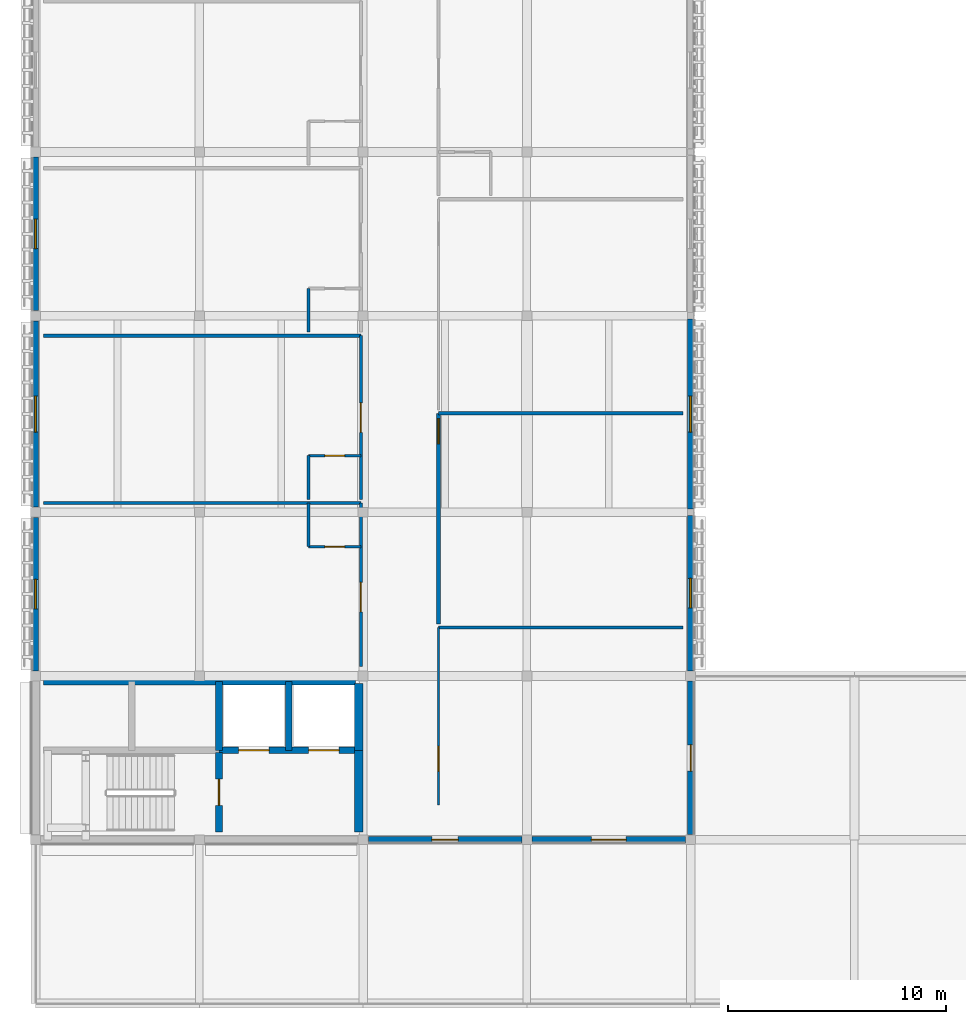
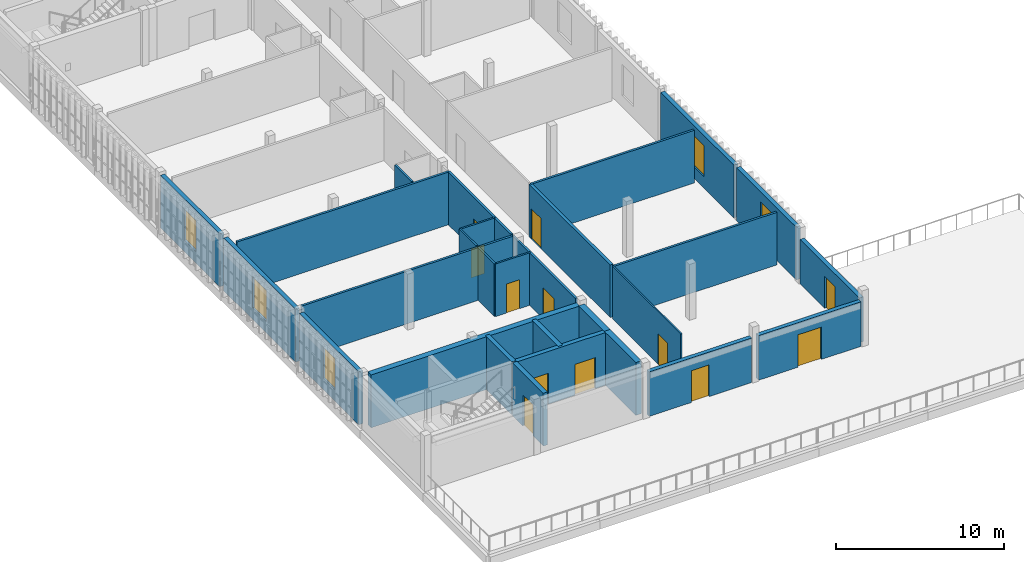
# One storey, part 3 of 13: 28 walls, 12 doors, 5 windows, 17 openings.
"""IFC4 building model written with IfcOpenShell, lengths in metres."""

from ifc_helpers import new_model, si_unit, direction, frame, frame_2d, origin, place, context, subcontext, project, spatial, rectangle, extrude, material, layer, layer_set, type_object, element, fill, save


model = new_model("IFC4")

# Units and contexts
model_context = context("Model", 3, precision=1e-05, world=origin(), true_north=direction((0.0, 1.0)))
body_context = subcontext(model_context, "Body", "Model", "MODEL_VIEW")
ifc_project = project(units=[si_unit("LENGTHUNIT", "METRE"), si_unit("AREAUNIT", "SQUARE_METRE"), si_unit("VOLUMEUNIT", "CUBIC_METRE"), si_unit("PLANEANGLEUNIT", "RADIAN"), si_unit("MASSUNIT", "GRAM", prefix="KILO")], contexts=[model_context])

# Site, building, storey
site_placement = place(None, origin())
site = spatial("IfcSite", under=ifc_project, at=site_placement, CompositionType="ELEMENT")
building_placement = place(site_placement, origin())
building = spatial("IfcBuilding", under=site, at=building_placement, Name="Dalvernix Boulevard General Hospital", CompositionType="ELEMENT")
storey_placement = place(building_placement, frame((0.0, 0.0, 30.0)))
storey = spatial("IfcBuildingStorey", under=building, at=storey_placement, Name="L07", CompositionType="ELEMENT", Elevation=30.0)

# Walls
ifc_material_1 = material(Name="Concrete C40/50", Category="concrete")
ifc_layer_1 = layer(ifc_material_1, 0.39990234375)
ifc_layer_set_1 = layer_set([ifc_layer_1], Name="Concrete C40/50 (WAL-CSW-01)")
wall_type_1 = type_object("IfcWallType", Name="WAL-CSW-01", PredefinedType="SHEAR", material=ifc_layer_set_1)
wall_1_placement = place(storey_placement, frame((0.35009765625, 14.800048828125, 0.0), z_axis=(0.0, 0.0, 1.0), x_axis=(1.0, 0.0, 0.0)))
element("IfcWall", 1, at=wall_1_placement, inside=storey, type_object=wall_type_1, Name="L07 C1 north shaft core wall", PredefinedType="SHEAR", context=body_context, shape_type="SweptSolid", body=[
    extrude(rectangle(XDim=14.2998046875, YDim=0.39990234375, at=frame_2d((7.14990234375, 0.0))), origin(), (0.0, 0.0, 1.0), 3.830078125),
])
wall_2_placement = place(storey_placement, frame((14.800048828125, 7.85009765625, 0.0), z_axis=(0.0, 0.0, 1.0), x_axis=(0.0, 1.0, 0.0)))
element("IfcWall", 2, at=wall_2_placement, inside=storey, type_object=wall_type_1, Name="L07 C1 east lobby core wall", PredefinedType="SHEAR", context=body_context, shape_type="SweptSolid", body=[
    extrude(rectangle(XDim=3.75, YDim=0.39990234375, at=frame_2d((1.875, 0.0))), origin(), (0.0, 0.0, 1.0), 3.830078125),
])
wall_3_placement = place(storey_placement, frame((14.800048828125, 11.60009765625, 0.0), z_axis=(0.0, 0.0, 1.0), x_axis=(0.0, 1.0, 0.0)))
element("IfcWall", 3, at=wall_3_placement, inside=storey, type_object=wall_type_1, Name="L07 C1 east shaft core wall", PredefinedType="SHEAR", context=body_context, shape_type="SweptSolid", body=[
    extrude(rectangle(XDim=3.0498046875, YDim=0.39990234375, at=frame_2d((1.52490234375, 0.0))), origin(), (0.0, 0.0, 1.0), 3.830078125),
])

# Wall, openings, doors
ifc_layer_2 = layer(ifc_material_1, 0.300048828125)
ifc_layer_set_2 = layer_set([ifc_layer_2], Name="Concrete C40/50 (WAL-CSW-02)")
wall_type_2 = type_object("IfcWallType", Name="WAL-CSW-02", PredefinedType="SHEAR", material=ifc_layer_set_2)
wall_4_placement = place(storey_placement, frame((8.39990234375, 11.60009765625, 0.0), z_axis=(0.0, 0.0, 1.0), x_axis=(1.0, 0.0, 0.0)))
wall_4 = element("IfcWall", 4, at=wall_4_placement, inside=storey, type_object=wall_type_2, Name="L07 C1 lift shaft front wall", PredefinedType="SHEAR", context=body_context, shape_type="SweptSolid", body=[
    extrude(rectangle(XDim=6.25, YDim=0.300048828125, at=frame_2d((3.125, 0.0))), origin(), (0.0, 0.0, 1.0), 3.830078125),
])
opening_1_placement = place(wall_4_placement, frame((0.89990234375, 0.0, 0.0)))
opening_1 = element("IfcOpeningElement", 5, at=opening_1_placement, cuts=wall_4, Name="Opening LD-FFL-01-L07", PredefinedType="OPENING", context=body_context, shape_type="SweptSolid", body=[
    extrude(rectangle(XDim=1.39990234375, YDim=2.25, at=frame_2d((0.699951171875, 1.125))), frame((0.0, 0.159912109375, 0.0), z_axis=(0.0, -1.0, 0.0), x_axis=(1.0, 0.0, 0.0)), (0.0, 0.0, 1.0), 0.320068359375),
])
opening_2_placement = place(wall_4_placement, frame((4.10009765625, 0.0, 0.0)))
opening_2 = element("IfcOpeningElement", 6, at=opening_2_placement, cuts=wall_4, Name="Opening LD-FFL-02-L07", PredefinedType="OPENING", context=body_context, shape_type="SweptSolid", body=[
    extrude(rectangle(XDim=1.39990234375, YDim=2.25, at=frame_2d((0.699951171875, 1.125))), frame((0.0, 0.159912109375, 0.0), z_axis=(0.0, -1.0, 0.0), x_axis=(1.0, 0.0, 0.0)), (0.0, 0.0, 1.0), 0.320068359375),
])
ifc_material_2 = material(Name="Stainless-clad steel", Category="steel")
door_type_1 = type_object("IfcDoorType", Name="DR-LD-01", OperationType="DOUBLE_DOOR_SLIDING", PredefinedType="DOOR", material=ifc_material_2)
door_1_placement = place(opening_1_placement, origin())
door_1 = element("IfcDoor", 7, at=door_1_placement, inside=storey, type_object=door_type_1, Name="L07 Lift FFL-01 sliding landing door", OperationType="DOUBLE_DOOR_SLIDING", OverallHeight=2.25, OverallWidth=1.39990234375, PredefinedType="DOOR", context=body_context, shape_type="SweptSolid", body=[
    extrude(rectangle(XDim=1.39990234375, YDim=2.25, at=frame_2d((0.699951171875, 1.125))), frame((0.0, 0.02490234375, 0.0), z_axis=(0.0, -1.0, 0.0), x_axis=(1.0, 0.0, 0.0)), (0.0, 0.0, 1.0), 0.050048828125),
])
fill(opening_1, door_1)
door_2_placement = place(opening_2_placement, origin())
door_2 = element("IfcDoor", 8, at=door_2_placement, inside=storey, type_object=door_type_1, Name="L07 Lift FFL-02 sliding landing door", OperationType="DOUBLE_DOOR_SLIDING", OverallHeight=2.25, OverallWidth=1.39990234375, PredefinedType="DOOR", context=body_context, shape_type="SweptSolid", body=[
    extrude(rectangle(XDim=1.39990234375, YDim=2.25, at=frame_2d((0.699951171875, 1.125))), frame((0.0, 0.02490234375, 0.0), z_axis=(0.0, -1.0, 0.0), x_axis=(1.0, 0.0, 0.0)), (0.0, 0.0, 1.0), 0.050048828125),
])
fill(opening_2, door_2)

# Wall, opening, door
wall_5_placement = place(storey_placement, frame((8.39990234375, 11.5, 0.0), z_axis=(0.0, 0.0, 1.0), x_axis=(0.0, -1.0, 0.0)))
wall_5 = element("IfcWall", 9, at=wall_5_placement, inside=storey, type_object=wall_type_2, Name="L07 C1 stairwell fire wall", PredefinedType="SHEAR", context=body_context, shape_type="SweptSolid", body=[
    extrude(rectangle(XDim=3.64990234375, YDim=0.300048828125, at=frame_2d((1.824951171875, 0.0))), origin(), (0.0, 0.0, 1.0), 3.830078125),
])
opening_3_placement = place(wall_5_placement, frame((1.219970703125, 0.0, 0.0)))
opening_3 = element("IfcOpeningElement", 10, at=opening_3_placement, cuts=wall_5, Name="Opening FD-02", PredefinedType="OPENING", context=body_context, shape_type="SweptSolid", body=[
    extrude(rectangle(XDim=1.199951171875, YDim=2.25, at=frame_2d((0.60009765625, 1.125))), frame((0.0, 0.159912109375, 0.0), z_axis=(0.0, -1.0, 0.0), x_axis=(1.0, 0.0, 0.0)), (0.0, 0.0, 1.0), 0.320068359375),
])
ifc_material_3 = material(Name="Hospital laminate acoustic timber and steel frame", Category="steel")
door_type_2 = type_object("IfcDoorType", Name="DR-FD-02", OperationType="NOTDEFINED", PredefinedType="DOOR", material=ifc_material_3)
door_3_placement = place(opening_3_placement, origin())
door_3 = element("IfcDoor", 11, at=door_3_placement, inside=storey, type_object=door_type_2, Name="L07 Stair ST-01 fire door", OperationType="SINGLE_SWING_LEFT", OverallHeight=2.25, OverallWidth=1.199951171875, PredefinedType="DOOR", context=body_context, shape_type="SweptSolid", body=[
    extrude(rectangle(XDim=1.199951171875, YDim=2.25, at=frame_2d((0.60009765625, 1.125))), frame((0.0, 0.02490234375, 0.0), z_axis=(0.0, -1.0, 0.0), x_axis=(1.0, 0.0, 0.0)), (0.0, 0.0, 1.0), 0.050048828125),
])
fill(opening_3, door_3)

# Walls
for number, where, z_axis, x_axis, name in (
    (12, (8.39990234375, 11.60009765625, 0.0), (0.0, 0.0, 1.0), (0.0, 1.0, 0.0), "L07 C1 shaft divider R2"),
    (13, (11.60009765625, 11.60009765625, 0.0), (0.0, 0.0, 1.0), (0.0, 1.0, 0.0), "L07 C1 shaft divider L1"),
):
    element("IfcWall", number, at=place(storey_placement, frame(where, z_axis=z_axis, x_axis=x_axis)), inside=storey, type_object=wall_type_2, Name=name, PredefinedType="SHEAR", context=body_context, shape_type="SweptSolid", body=[
        extrude(rectangle(XDim=3.14990234375, YDim=0.300048828125, at=frame_2d((1.574951171875, 0.0))), origin(), (0.0, 0.0, 1.0), 3.830078125),
    ])

# Wall, opening, window
ifc_material_4 = material(Name="Screened upper-ward insulated masonry cavity wall C35/45", Category="masonry")
ifc_layer_3 = layer(ifc_material_4, 0.280029296875)
ifc_layer_set_3 = layer_set([ifc_layer_3], Name="Screened upper-ward insulated masonry cavity wall C35/45 (WAL-EW-03)")
wall_type_3 = type_object("IfcWallType", Name="WAL-EW-03", PredefinedType="STANDARD", material=ifc_layer_set_3)
wall_6_placement = place(storey_placement, frame((0.0, 15.235107421875, 0.0), z_axis=(0.0, 0.0, 1.0), x_axis=(0.0, 1.0, 0.0)))
wall_6 = element("IfcWall", 14, at=wall_6_placement, inside=storey, type_object=wall_type_3, Name="L07 Catalan brick external wall W 0-2", PredefinedType="STANDARD", context=body_context, shape_type="SweptSolid", body=[
    extrude(rectangle(XDim=7.02978515625, YDim=0.280029296875, at=frame_2d((3.514892578125, 0.0))), origin(), (0.0, 0.0, 1.0), 3.830078125),
])
opening_4_placement = place(wall_6_placement, frame((2.840087890625, 0.0, 0.85009765625)))
opening_4 = element("IfcOpeningElement", 15, at=opening_4_placement, cuts=wall_6, Name="Opening WN-19", PredefinedType="OPENING", context=body_context, shape_type="SweptSolid", body=[
    extrude(rectangle(XDim=1.35009765625, YDim=2.25, at=frame_2d((0.675048828125, 1.125))), frame((0.0, 0.14990234375, 0.0), z_axis=(0.0, -1.0, 0.0), x_axis=(1.0, 0.0, 0.0)), (0.0, 0.0, 1.0), 0.300048828125),
])
ifc_material_5 = material(Name="Thermally broken aluminium frame with solar-control double glazing", Category="aluminium")
window_type_1 = type_object("IfcWindowType", Name="WIN-WN-19", PartitioningType="SINGLE_PANEL", PredefinedType="WINDOW", material=ifc_material_5)
window_1_placement = place(opening_4_placement, origin())
window_1 = element("IfcWindow", 16, at=window_1_placement, inside=storey, type_object=window_type_1, Name="L07 clinical window WN-19 W 0-2", OverallHeight=2.25, OverallWidth=1.35009765625, PartitioningType="SINGLE_PANEL", PredefinedType="WINDOW", context=body_context, shape_type="SweptSolid", body=[
    extrude(rectangle(XDim=1.35009765625, YDim=2.25, at=frame_2d((0.675048828125, 1.125))), frame((0.0, 0.030029296875, 0.0), z_axis=(0.0, -1.0, 0.0), x_axis=(1.0, 0.0, 0.0)), (0.0, 0.0, 1.0), 0.06005859375),
])
fill(opening_4, window_1)

wall_7_placement = place(storey_placement, frame((0.0, 22.735107421875, 0.0), z_axis=(0.0, 0.0, 1.0), x_axis=(0.0, 1.0, 0.0)))
wall_7 = element("IfcWall", 17, at=wall_7_placement, inside=storey, type_object=wall_type_3, Name="L07 Catalan brick external wall W 0-3", PredefinedType="STANDARD", context=body_context, shape_type="SweptSolid", body=[
    extrude(rectangle(XDim=8.52978515625, YDim=0.280029296875, at=frame_2d((4.264892578125, 0.0))), origin(), (0.0, 0.0, 1.0), 3.830078125),
])
opening_5_placement = place(wall_7_placement, frame((3.43994140625, 0.0, 0.85009765625)))
opening_5 = element("IfcOpeningElement", 18, at=opening_5_placement, cuts=wall_7, Name="Opening WN-20", PredefinedType="OPENING", context=body_context, shape_type="SweptSolid", body=[
    extrude(rectangle(XDim=1.64990234375, YDim=2.25, at=frame_2d((0.824951171875, 1.125))), frame((0.0, 0.14990234375, 0.0), z_axis=(0.0, -1.0, 0.0), x_axis=(1.0, 0.0, 0.0)), (0.0, 0.0, 1.0), 0.300048828125),
])
window_type_2 = type_object("IfcWindowType", Name="WIN-WN-20", PartitioningType="SINGLE_PANEL", PredefinedType="WINDOW", material=ifc_material_5)
window_2_placement = place(opening_5_placement, origin())
window_2 = element("IfcWindow", 19, at=window_2_placement, inside=storey, type_object=window_type_2, Name="L07 clinical window WN-20 W 0-3", OverallHeight=2.25, OverallWidth=1.64990234375, PartitioningType="SINGLE_PANEL", PredefinedType="WINDOW", context=body_context, shape_type="SweptSolid", body=[
    extrude(rectangle(XDim=1.64990234375, YDim=2.25, at=frame_2d((0.824951171875, 1.125))), frame((0.0, 0.030029296875, 0.0), z_axis=(0.0, -1.0, 0.0), x_axis=(1.0, 0.0, 0.0)), (0.0, 0.0, 1.0), 0.06005859375),
])
fill(opening_5, window_2)

wall_8_placement = place(storey_placement, frame((0.0, 31.735107421875, 0.0), z_axis=(0.0, 0.0, 1.0), x_axis=(0.0, 1.0, 0.0)))
wall_8 = element("IfcWall", 20, at=wall_8_placement, inside=storey, type_object=wall_type_3, Name="L07 Catalan brick external wall W 0-4", PredefinedType="STANDARD", context=body_context, shape_type="SweptSolid", body=[
    extrude(rectangle(XDim=7.02978515625, YDim=0.280029296875, at=frame_2d((3.514892578125, 0.0))), origin(), (0.0, 0.0, 1.0), 3.830078125),
])
opening_6_placement = place(wall_8_placement, frame((2.840087890625, 0.0, 0.85009765625)))
opening_6 = element("IfcOpeningElement", 21, at=opening_6_placement, cuts=wall_8, Name="Opening WN-19", PredefinedType="OPENING", context=body_context, shape_type="SweptSolid", body=[
    extrude(rectangle(XDim=1.35009765625, YDim=2.25, at=frame_2d((0.675048828125, 1.125))), frame((0.0, 0.14990234375, 0.0), z_axis=(0.0, -1.0, 0.0), x_axis=(1.0, 0.0, 0.0)), (0.0, 0.0, 1.0), 0.300048828125),
])
window_3_placement = place(opening_6_placement, origin())
window_3 = element("IfcWindow", 22, at=window_3_placement, inside=storey, type_object=window_type_1, Name="L07 clinical window WN-19 W 0-4", OverallHeight=2.25, OverallWidth=1.35009765625, PartitioningType="SINGLE_PANEL", PredefinedType="WINDOW", context=body_context, shape_type="SweptSolid", body=[
    extrude(rectangle(XDim=1.35009765625, YDim=2.25, at=frame_2d((0.675048828125, 1.125))), frame((0.0, 0.030029296875, 0.0), z_axis=(0.0, -1.0, 0.0), x_axis=(1.0, 0.0, 0.0)), (0.0, 0.0, 1.0), 0.06005859375),
])
fill(opening_6, window_3)

# Wall, opening, door
wall_9_placement = place(storey_placement, frame((22.264892578125, 7.5, 0.0), z_axis=(0.0, 0.0, 1.0), x_axis=(-1.0, 0.0, 0.0)))
wall_9 = element("IfcWall", 23, at=wall_9_placement, inside=storey, type_object=wall_type_3, Name="L07 Catalan brick external wall S 2-1", PredefinedType="STANDARD", context=body_context, shape_type="SweptSolid", body=[
    extrude(rectangle(XDim=7.02978515625, YDim=0.280029296875, at=frame_2d((3.514892578125, 0.0))), origin(), (0.0, 0.0, 1.0), 3.22998046875),
])
opening_7_placement = place(wall_9_placement, frame((2.9150390625, 0.0, 0.0)))
opening_7 = element("IfcOpeningElement", 24, at=opening_7_placement, cuts=wall_9, Name="Opening TD-12", PredefinedType="OPENING", context=body_context, shape_type="SweptSolid", body=[
    extrude(rectangle(XDim=1.199951171875, YDim=2.300048828125, at=frame_2d((0.60009765625, 1.14990234375))), frame((0.0, 0.14990234375, 0.0), z_axis=(0.0, -1.0, 0.0), x_axis=(1.0, 0.0, 0.0)), (0.0, 0.0, 1.0), 0.300048828125),
])
ifc_material_6 = material(Name="Powder-coated aluminium and laminated safety glass", Category="aluminium")
door_type_3 = type_object("IfcDoorType", Name="DR-TD-12", OperationType="NOTDEFINED", PredefinedType="DOOR", material=ifc_material_6)
door_4_placement = place(opening_7_placement, origin())
door_4 = element("IfcDoor", 25, at=door_4_placement, inside=storey, type_object=door_type_3, Name="L07 ward terrace access door S 2-1", OperationType="SINGLE_SWING_LEFT", OverallHeight=2.300048828125, OverallWidth=1.199951171875, PredefinedType="DOOR", context=body_context, shape_type="SweptSolid", body=[
    extrude(rectangle(XDim=1.199951171875, YDim=2.300048828125, at=frame_2d((0.60009765625, 1.14990234375))), frame((0.0, 0.02490234375, 0.0), z_axis=(0.0, -1.0, 0.0), x_axis=(1.0, 0.0, 0.0)), (0.0, 0.0, 1.0), 0.050048828125),
])
fill(opening_7, door_4)

wall_10_placement = place(storey_placement, frame((29.764892578125, 7.5, 0.0), z_axis=(0.0, 0.0, 1.0), x_axis=(-1.0, 0.0, 0.0)))
wall_10 = element("IfcWall", 26, at=wall_10_placement, inside=storey, type_object=wall_type_3, Name="L07 Catalan brick external wall S 3-1", PredefinedType="STANDARD", context=body_context, shape_type="SweptSolid", body=[
    extrude(rectangle(XDim=7.02978515625, YDim=0.280029296875, at=frame_2d((3.514892578125, 0.0))), origin(), (0.0, 0.0, 1.0), 3.22998046875),
])
opening_8_placement = place(wall_10_placement, frame((2.715087890625, 0.0, 0.0)))
opening_8 = element("IfcOpeningElement", 27, at=opening_8_placement, cuts=wall_10, Name="Opening TD-16", PredefinedType="OPENING", context=body_context, shape_type="SweptSolid", body=[
    extrude(rectangle(XDim=1.60009765625, YDim=2.35009765625, at=frame_2d((0.800048828125, 1.175048828125))), frame((0.0, 0.14990234375, 0.0), z_axis=(0.0, -1.0, 0.0), x_axis=(1.0, 0.0, 0.0)), (0.0, 0.0, 1.0), 0.300048828125),
])
door_type_4 = type_object("IfcDoorType", Name="DR-TD-16", OperationType="DOUBLE_DOOR_SINGLE_SWING", PredefinedType="DOOR", material=ifc_material_6)
door_5_placement = place(opening_8_placement, origin())
door_5 = element("IfcDoor", 28, at=door_5_placement, inside=storey, type_object=door_type_4, Name="L07 ward terrace access door S 3-1", OperationType="DOUBLE_DOOR_SINGLE_SWING", OverallHeight=2.35009765625, OverallWidth=1.60009765625, PredefinedType="DOOR", context=body_context, shape_type="SweptSolid", body=[
    extrude(rectangle(XDim=1.60009765625, YDim=2.35009765625, at=frame_2d((0.800048828125, 1.175048828125))), frame((0.0, 0.02490234375, 0.0), z_axis=(0.0, -1.0, 0.0), x_axis=(1.0, 0.0, 0.0)), (0.0, 0.0, 1.0), 0.050048828125),
])
fill(opening_8, door_5)

wall_11_placement = place(storey_placement, frame((30.0, 14.764892578125, 0.0), z_axis=(0.0, 0.0, 1.0), x_axis=(0.0, -1.0, 0.0)))
wall_11 = element("IfcWall", 29, at=wall_11_placement, inside=storey, type_object=wall_type_3, Name="L07 Catalan brick external wall E 4-1", PredefinedType="STANDARD", context=body_context, shape_type="SweptSolid", body=[
    extrude(rectangle(XDim=7.02978515625, YDim=0.280029296875, at=frame_2d((3.514892578125, 0.0))), origin(), (0.0, 0.0, 1.0), 3.22998046875),
])
opening_9_placement = place(wall_11_placement, frame((2.9150390625, 0.0, 0.0)))
opening_9 = element("IfcOpeningElement", 30, at=opening_9_placement, cuts=wall_11, Name="Opening TD-12", PredefinedType="OPENING", context=body_context, shape_type="SweptSolid", body=[
    extrude(rectangle(XDim=1.199951171875, YDim=2.300048828125, at=frame_2d((0.60009765625, 1.14990234375))), frame((0.0, 0.14990234375, 0.0), z_axis=(0.0, -1.0, 0.0), x_axis=(1.0, 0.0, 0.0)), (0.0, 0.0, 1.0), 0.300048828125),
])
door_6_placement = place(opening_9_placement, origin())
door_6 = element("IfcDoor", 31, at=door_6_placement, inside=storey, type_object=door_type_3, Name="L07 ward terrace access door E 4-1", OperationType="SINGLE_SWING_LEFT", OverallHeight=2.300048828125, OverallWidth=1.199951171875, PredefinedType="DOOR", context=body_context, shape_type="SweptSolid", body=[
    extrude(rectangle(XDim=1.199951171875, YDim=2.300048828125, at=frame_2d((0.60009765625, 1.14990234375))), frame((0.0, 0.02490234375, 0.0), z_axis=(0.0, -1.0, 0.0), x_axis=(1.0, 0.0, 0.0)), (0.0, 0.0, 1.0), 0.050048828125),
])
fill(opening_9, door_6)

# Wall, opening, window
wall_12_placement = place(storey_placement, frame((30.0, 22.35009765625, 0.0), z_axis=(0.0, 0.0, 1.0), x_axis=(0.0, -1.0, 0.0)))
wall_12 = element("IfcWall", 32, at=wall_12_placement, inside=storey, type_object=wall_type_3, Name="L07 Catalan brick external wall E 4-2", PredefinedType="STANDARD", context=body_context, shape_type="SweptSolid", body=[
    extrude(rectangle(XDim=7.114990234375, YDim=0.280029296875, at=frame_2d((3.5576171875, 0.0))), origin(), (0.0, 0.0, 1.0), 3.830078125),
])
opening_10_placement = place(wall_12_placement, frame((2.882568359375, 0.0, 0.85009765625)))
opening_10 = element("IfcOpeningElement", 33, at=opening_10_placement, cuts=wall_12, Name="Opening WN-19", PredefinedType="OPENING", context=body_context, shape_type="SweptSolid", body=[
    extrude(rectangle(XDim=1.35009765625, YDim=2.25, at=frame_2d((0.675048828125, 1.125))), frame((0.0, 0.14990234375, 0.0), z_axis=(0.0, -1.0, 0.0), x_axis=(1.0, 0.0, 0.0)), (0.0, 0.0, 1.0), 0.300048828125),
])
window_4_placement = place(opening_10_placement, origin())
window_4 = element("IfcWindow", 34, at=window_4_placement, inside=storey, type_object=window_type_1, Name="L07 clinical window WN-19 E 4-2", OverallHeight=2.25, OverallWidth=1.35009765625, PartitioningType="SINGLE_PANEL", PredefinedType="WINDOW", context=body_context, shape_type="SweptSolid", body=[
    extrude(rectangle(XDim=1.35009765625, YDim=2.25, at=frame_2d((0.675048828125, 1.125))), frame((0.0, 0.030029296875, 0.0), z_axis=(0.0, -1.0, 0.0), x_axis=(1.0, 0.0, 0.0)), (0.0, 0.0, 1.0), 0.06005859375),
])
fill(opening_10, window_4)

wall_13_placement = place(storey_placement, frame((30.0, 31.35009765625, 0.0), z_axis=(0.0, 0.0, 1.0), x_axis=(0.0, -1.0, 0.0)))
wall_13 = element("IfcWall", 35, at=wall_13_placement, inside=storey, type_object=wall_type_3, Name="L07 Catalan brick external wall E 4-3", PredefinedType="STANDARD", context=body_context, shape_type="SweptSolid", body=[
    extrude(rectangle(XDim=8.7001953125, YDim=0.280029296875, at=frame_2d((4.35009765625, 0.0))), origin(), (0.0, 0.0, 1.0), 3.830078125),
])
opening_11_placement = place(wall_13_placement, frame((3.52490234375, 0.0, 0.85009765625)))
opening_11 = element("IfcOpeningElement", 36, at=opening_11_placement, cuts=wall_13, Name="Opening WN-20", PredefinedType="OPENING", context=body_context, shape_type="SweptSolid", body=[
    extrude(rectangle(XDim=1.64990234375, YDim=2.25, at=frame_2d((0.824951171875, 1.125))), frame((0.0, 0.14990234375, 0.0), z_axis=(0.0, -1.0, 0.0), x_axis=(1.0, 0.0, 0.0)), (0.0, 0.0, 1.0), 0.300048828125),
])
window_5_placement = place(opening_11_placement, origin())
window_5 = element("IfcWindow", 37, at=window_5_placement, inside=storey, type_object=window_type_2, Name="L07 clinical window WN-20 E 4-3", OverallHeight=2.25, OverallWidth=1.64990234375, PartitioningType="SINGLE_PANEL", PredefinedType="WINDOW", context=body_context, shape_type="SweptSolid", body=[
    extrude(rectangle(XDim=1.64990234375, YDim=2.25, at=frame_2d((0.824951171875, 1.125))), frame((0.0, 0.030029296875, 0.0), z_axis=(0.0, -1.0, 0.0), x_axis=(1.0, 0.0, 0.0)), (0.0, 0.0, 1.0), 0.06005859375),
])
fill(opening_11, window_5)

# Wall, opening, door
ifc_material_7 = material(Name="Fire-compartment corridor masonry wall", Category="masonry")
ifc_layer_4 = layer(ifc_material_7, 0.199951171875)
ifc_layer_set_4 = layer_set([ifc_layer_4], Name="Fire-compartment corridor masonry wall (WAL-IW-02)")
wall_type_4 = type_object("IfcWallType", Name="WAL-IW-02", PredefinedType="STANDARD", material=ifc_layer_set_4)
wall_14_placement = place(storey_placement, frame((18.449951171875, 27.0341796875, 0.0), z_axis=(0.0, 0.0, 1.0), x_axis=(0.0, -1.0, 0.0)))
wall_14 = element("IfcWall", 38, at=wall_14_placement, inside=storey, type_object=wall_type_4, Name="L07 Clinical Treatment and Procedure Room L07 corridor wall", PredefinedType="STANDARD", context=body_context, shape_type="SweptSolid", body=[
    extrude(rectangle(XDim=9.64697265625, YDim=0.199951171875, at=frame_2d((4.823486328125, 0.0))), origin(), (0.0, 0.0, 1.0), 3.81494140625),
])
opening_12_placement = place(wall_14_placement, frame((0.25, 0.0, 0.0)))
opening_12 = element("IfcOpeningElement", 39, at=opening_12_placement, cuts=wall_14, Name="Opening ID-08", PredefinedType="OPENING", context=body_context, shape_type="SweptSolid", body=[
    extrude(rectangle(XDim=1.14990234375, YDim=2.199951171875, at=frame_2d((0.574951171875, 1.10009765625))), frame((0.0, 0.10986328125, 0.0), z_axis=(0.0, -1.0, 0.0), x_axis=(1.0, 0.0, 0.0)), (0.0, 0.0, 1.0), 0.219970703125),
])
door_type_5 = type_object("IfcDoorType", Name="DR-ID-08", OperationType="NOTDEFINED", PredefinedType="DOOR", material=ifc_material_3)
door_7_placement = place(opening_12_placement, origin())
door_7 = element("IfcDoor", 40, at=door_7_placement, inside=storey, type_object=door_type_5, Name="L07 Clinical Treatment and Procedure Room L07 door", OperationType="SINGLE_SWING_LEFT", OverallHeight=2.199951171875, OverallWidth=1.14990234375, PredefinedType="DOOR", context=body_context, shape_type="SweptSolid", body=[
    extrude(rectangle(XDim=1.14990234375, YDim=2.199951171875, at=frame_2d((0.574951171875, 1.10009765625))), frame((0.0, 0.02490234375, 0.0), z_axis=(0.0, -1.0, 0.0), x_axis=(1.0, 0.0, 0.0)), (0.0, 0.0, 1.0), 0.050048828125),
])
fill(opening_12, door_7)

ifc_material_8 = material(Name="Acoustic double-stud gypsum inpatient partition")
ifc_layer_5 = layer(ifc_material_8, 0.14990234375)
ifc_layer_set_5 = layer_set([ifc_layer_5], Name="Acoustic double-stud gypsum inpatient partition (WAL-IW-04)")
wall_type_5 = type_object("IfcWallType", Name="WAL-IW-04", PredefinedType="PARTITIONING", material=ifc_layer_set_5)
wall_15_placement = place(storey_placement, frame((14.89990234375, 15.429931640625, 0.0), z_axis=(0.0, 0.0, 1.0), x_axis=(0.0, 1.0, 0.0)))
wall_15 = element("IfcWall", 41, at=wall_15_placement, inside=storey, type_object=wall_type_5, Name="L07 Rehabilitation Single Patient Room L07-W01 corridor wall", PredefinedType="PARTITIONING", context=body_context, shape_type="SweptSolid", body=[
    extrude(rectangle(XDim=7.5, YDim=0.14990234375, at=frame_2d((3.75, 0.0))), origin(), (0.0, 0.0, 1.0), 3.81494140625),
])
opening_13_placement = place(wall_15_placement, frame((2.510009765625, 0.0, 0.0)))
opening_13 = element("IfcOpeningElement", 42, at=opening_13_placement, cuts=wall_15, Name="Opening ID-01", PredefinedType="OPENING", context=body_context, shape_type="SweptSolid", body=[
    extrude(rectangle(XDim=1.35009765625, YDim=2.25, at=frame_2d((0.675048828125, 1.125))), frame((0.0, 0.0849609375, 0.0), z_axis=(0.0, -1.0, 0.0), x_axis=(1.0, 0.0, 0.0)), (0.0, 0.0, 1.0), 0.169921875),
])
door_type_6 = type_object("IfcDoorType", Name="DR-ID-01", OperationType="NOTDEFINED", PredefinedType="DOOR", material=ifc_material_3)
door_8_placement = place(opening_13_placement, origin())
door_8 = element("IfcDoor", 43, at=door_8_placement, inside=storey, type_object=door_type_6, Name="L07 Rehabilitation Single Patient Room L07-W01 door", OperationType="SINGLE_SWING_RIGHT", OverallHeight=2.25, OverallWidth=1.35009765625, PredefinedType="DOOR", context=body_context, shape_type="SweptSolid", body=[
    extrude(rectangle(XDim=1.35009765625, YDim=2.25, at=frame_2d((0.675048828125, 1.125))), frame((0.0, 0.02490234375, 0.0), z_axis=(0.0, -1.0, 0.0), x_axis=(1.0, 0.0, 0.0)), (0.0, 0.0, 1.0), 0.050048828125),
])
fill(opening_13, door_8)

wall_16_placement = place(storey_placement, frame((14.89990234375, 23.090087890625, 0.0), z_axis=(0.0, 0.0, 1.0), x_axis=(0.0, 1.0, 0.0)))
wall_16 = element("IfcWall", 44, at=wall_16_placement, inside=storey, type_object=wall_type_5, Name="L07 Palliative Care Patient Suite L07-W02 corridor wall", PredefinedType="PARTITIONING", context=body_context, shape_type="SweptSolid", body=[
    extrude(rectangle(XDim=7.5, YDim=0.14990234375, at=frame_2d((3.75, 0.0))), origin(), (0.0, 0.0, 1.0), 3.81494140625),
])
opening_14_placement = place(wall_16_placement, frame((3.074951171875, 0.0, 0.0)))
opening_14 = element("IfcOpeningElement", 45, at=opening_14_placement, cuts=wall_16, Name="Opening ID-01", PredefinedType="OPENING", context=body_context, shape_type="SweptSolid", body=[
    extrude(rectangle(XDim=1.35009765625, YDim=2.25, at=frame_2d((0.675048828125, 1.125))), frame((0.0, 0.0849609375, 0.0), z_axis=(0.0, -1.0, 0.0), x_axis=(1.0, 0.0, 0.0)), (0.0, 0.0, 1.0), 0.169921875),
])
door_9_placement = place(opening_14_placement, origin())
door_9 = element("IfcDoor", 46, at=door_9_placement, inside=storey, type_object=door_type_6, Name="L07 Palliative Care Patient Suite L07-W02 door", OperationType="SINGLE_SWING_RIGHT", OverallHeight=2.25, OverallWidth=1.35009765625, PredefinedType="DOOR", context=body_context, shape_type="SweptSolid", body=[
    extrude(rectangle(XDim=1.35009765625, YDim=2.25, at=frame_2d((0.675048828125, 1.125))), frame((0.0, 0.02490234375, 0.0), z_axis=(0.0, -1.0, 0.0), x_axis=(1.0, 0.0, 0.0)), (0.0, 0.0, 1.0), 0.050048828125),
])
fill(opening_14, door_9)

# Walls
for number, where, z_axis, x_axis, name in (
    (47, (0.35009765625, 22.929931640625, 0.0), (0.0, 0.0, 1.0), (1.0, 0.0, 0.0), "L07 Rehabilitation Single Patient Room L07-W01 partition"),
    (48, (0.35009765625, 30.590087890625, 0.0), (0.0, 0.0, 1.0), (1.0, 0.0, 0.0), "L07 Palliative Care Patient Suite L07-W02 partition"),
):
    element("IfcWall", number, at=place(storey_placement, frame(where, z_axis=z_axis, x_axis=x_axis)), inside=storey, type_object=wall_type_5, Name=name, PredefinedType="PARTITIONING", context=body_context, shape_type="SweptSolid", body=[
        extrude(rectangle(XDim=14.5498046875, YDim=0.14990234375, at=frame_2d((7.27490234375, 0.0))), origin(), (0.0, 0.0, 1.0), 3.81494140625),
    ])
for number, where, z_axis, x_axis, name in (
    (49, (18.449951171875, 17.22705078125, 0.0), (0.0, 0.0, 1.0), (1.0, 0.0, 0.0), "L07 Ward Nurse Station and Medication Prep L07 partition"),
    (50, (18.449951171875, 27.0341796875, 0.0), (0.0, 0.0, 1.0), (1.0, 0.0, 0.0), "L07 Clinical Treatment and Procedure Room L07 partition"),
):
    element("IfcWall", number, at=place(storey_placement, frame(where, z_axis=z_axis, x_axis=x_axis)), inside=storey, type_object=wall_type_5, Name=name, PredefinedType="PARTITIONING", context=body_context, shape_type="SweptSolid", body=[
        extrude(rectangle(XDim=11.199951171875, YDim=0.14990234375, at=frame_2d((5.60009765625, 0.0))), origin(), (0.0, 0.0, 1.0), 3.81494140625),
    ])

# Wall, opening, door
ifc_material_9 = material(Name="Moisture-resistant en-suite bathroom partition")
ifc_layer_6 = layer(ifc_material_9, 0.1201171875)
ifc_layer_set_6 = layer_set([ifc_layer_6], Name="Moisture-resistant en-suite bathroom partition (WAL-IW-05)")
wall_type_6 = type_object("IfcWallType", Name="WAL-IW-05", PredefinedType="PARTITIONING", material=ifc_layer_set_6)
wall_17_placement = place(storey_placement, frame((12.5, 20.929931640625, 0.0), z_axis=(0.0, 0.0, 1.0), x_axis=(1.0, 0.0, 0.0)))
wall_17 = element("IfcWall", 51, at=wall_17_placement, inside=storey, type_object=wall_type_6, Name="L07 en-suite bathroom door wall", PredefinedType="PARTITIONING", context=body_context, shape_type="SweptSolid", body=[
    extrude(rectangle(XDim=2.39990234375, YDim=0.1201171875, at=frame_2d((1.199951171875, 0.0))), origin(), (0.0, 0.0, 1.0), 3.81494140625),
])
opening_15_placement = place(wall_17_placement, frame((0.75, 0.0, 0.0)))
opening_15 = element("IfcOpeningElement", 52, at=opening_15_placement, cuts=wall_17, Name="Opening ID-05", PredefinedType="OPENING", context=body_context, shape_type="SweptSolid", body=[
    extrude(rectangle(XDim=0.89990234375, YDim=2.10009765625, at=frame_2d((0.449951171875, 1.050048828125))), frame((0.0, 0.070068359375, 0.0), z_axis=(0.0, -1.0, 0.0), x_axis=(1.0, 0.0, 0.0)), (0.0, 0.0, 1.0), 0.14013671875),
])
door_type_7 = type_object("IfcDoorType", Name="DR-ID-05", OperationType="NOTDEFINED", PredefinedType="DOOR", material=ifc_material_3)
door_10_placement = place(opening_15_placement, origin())
door_10 = element("IfcDoor", 53, at=door_10_placement, inside=storey, type_object=door_type_7, Name="L07 L07-WRD-W01 en-suite bathroom door", OperationType="SINGLE_SWING_LEFT", OverallHeight=2.10009765625, OverallWidth=0.89990234375, PredefinedType="DOOR", context=body_context, shape_type="SweptSolid", body=[
    extrude(rectangle(XDim=0.89990234375, YDim=2.10009765625, at=frame_2d((0.449951171875, 1.050048828125))), frame((0.0, 0.02490234375, 0.0), z_axis=(0.0, -1.0, 0.0), x_axis=(1.0, 0.0, 0.0)), (0.0, 0.0, 1.0), 0.050048828125),
])
fill(opening_15, door_10)

# Wall
wall_18_placement = place(storey_placement, frame((12.5, 20.929931640625, 0.0), z_axis=(0.0, 0.0, 1.0), x_axis=(0.0, 1.0, 0.0)))
element("IfcWall", 54, at=wall_18_placement, inside=storey, type_object=wall_type_6, Name="L07 en-suite bathroom side wall", PredefinedType="PARTITIONING", context=body_context, shape_type="SweptSolid", body=[
    extrude(rectangle(XDim=2.0, YDim=0.1201171875, at=frame_2d((1.0, 0.0))), origin(), (0.0, 0.0, 1.0), 3.81494140625),
])

# Wall, opening, door
wall_19_placement = place(storey_placement, frame((14.89990234375, 25.090087890625, 0.0), z_axis=(0.0, 0.0, 1.0), x_axis=(-1.0, 0.0, 0.0)))
wall_19 = element("IfcWall", 55, at=wall_19_placement, inside=storey, type_object=wall_type_6, Name="L07 en-suite bathroom door wall", PredefinedType="PARTITIONING", context=body_context, shape_type="SweptSolid", body=[
    extrude(rectangle(XDim=2.39990234375, YDim=0.1201171875, at=frame_2d((1.199951171875, 0.0))), origin(), (0.0, 0.0, 1.0), 3.81494140625),
])
opening_16_placement = place(wall_19_placement, frame((0.75, 0.0, 0.0)))
opening_16 = element("IfcOpeningElement", 56, at=opening_16_placement, cuts=wall_19, Name="Opening ID-05", PredefinedType="OPENING", context=body_context, shape_type="SweptSolid", body=[
    extrude(rectangle(XDim=0.89990234375, YDim=2.10009765625, at=frame_2d((0.449951171875, 1.050048828125))), frame((0.0, 0.070068359375, 0.0), z_axis=(0.0, -1.0, 0.0), x_axis=(1.0, 0.0, 0.0)), (0.0, 0.0, 1.0), 0.14013671875),
])
door_11_placement = place(opening_16_placement, origin())
door_11 = element("IfcDoor", 57, at=door_11_placement, inside=storey, type_object=door_type_7, Name="L07 L07-WRD-W02 en-suite bathroom door", OperationType="SINGLE_SWING_LEFT", OverallHeight=2.10009765625, OverallWidth=0.89990234375, PredefinedType="DOOR", context=body_context, shape_type="SweptSolid", body=[
    extrude(rectangle(XDim=0.89990234375, YDim=2.10009765625, at=frame_2d((0.449951171875, 1.050048828125))), frame((0.0, 0.02490234375, 0.0), z_axis=(0.0, -1.0, 0.0), x_axis=(1.0, 0.0, 0.0)), (0.0, 0.0, 1.0), 0.050048828125),
])
fill(opening_16, door_11)

# Walls
for number, where, z_axis, x_axis, name in (
    (58, (12.5, 23.090087890625, 0.0), (0.0, 0.0, 1.0), (0.0, 1.0, 0.0), "L07 en-suite bathroom side wall"),
    (59, (12.5, 30.75, 0.0), (0.0, 0.0, 1.0), (0.0, 1.0, 0.0), "L07 en-suite bathroom side wall"),
):
    element("IfcWall", number, at=place(storey_placement, frame(where, z_axis=z_axis, x_axis=x_axis)), inside=storey, type_object=wall_type_6, Name=name, PredefinedType="PARTITIONING", context=body_context, shape_type="SweptSolid", body=[
        extrude(rectangle(XDim=2.0, YDim=0.1201171875, at=frame_2d((1.0, 0.0))), origin(), (0.0, 0.0, 1.0), 3.81494140625),
    ])

# Wall, opening, door
ifc_material_10 = material(Name="Fire-resisting clinical sub-partition")
ifc_layer_7 = layer(ifc_material_10, 0.10009765625)
ifc_layer_set_7 = layer_set([ifc_layer_7], Name="Fire-resisting clinical sub-partition (WAL-IW-06)")
wall_type_7 = type_object("IfcWallType", Name="WAL-IW-06", PredefinedType="PARTITIONING", material=ifc_layer_set_7)
wall_20_placement = place(storey_placement, frame((18.449951171875, 17.22705078125, 0.0), z_axis=(0.0, 0.0, 1.0), x_axis=(0.0, -1.0, 0.0)))
wall_20 = element("IfcWall", 60, at=wall_20_placement, inside=storey, type_object=wall_type_7, Name="L07 Ward Nurse Station and Medication Prep L07 corridor wall", PredefinedType="PARTITIONING", context=body_context, shape_type="SweptSolid", body=[
    extrude(rectangle(XDim=8.126953125, YDim=0.10009765625, at=frame_2d((4.0634765625, 0.0))), origin(), (0.0, 0.0, 1.0), 3.81494140625),
])
opening_17_placement = place(wall_20_placement, frame((5.431640625, 0.0, 0.0)))
opening_17 = element("IfcOpeningElement", 61, at=opening_17_placement, cuts=wall_20, Name="Opening ID-08", PredefinedType="OPENING", context=body_context, shape_type="SweptSolid", body=[
    extrude(rectangle(XDim=1.14990234375, YDim=2.199951171875, at=frame_2d((0.574951171875, 1.10009765625))), frame((0.0, 0.06005859375, 0.0), z_axis=(0.0, -1.0, 0.0), x_axis=(1.0, 0.0, 0.0)), (0.0, 0.0, 1.0), 0.1201171875),
])
door_12_placement = place(opening_17_placement, origin())
door_12 = element("IfcDoor", 62, at=door_12_placement, inside=storey, type_object=door_type_5, Name="L07 Ward Nurse Station and Medication Prep L07 door", OperationType="SINGLE_SWING_RIGHT", OverallHeight=2.199951171875, OverallWidth=1.14990234375, PredefinedType="DOOR", context=body_context, shape_type="SweptSolid", body=[
    extrude(rectangle(XDim=1.14990234375, YDim=2.199951171875, at=frame_2d((0.574951171875, 1.10009765625))), frame((0.0, 0.02490234375, 0.0), z_axis=(0.0, -1.0, 0.0), x_axis=(1.0, 0.0, 0.0)), (0.0, 0.0, 1.0), 0.050048828125),
])
fill(opening_17, door_12)

save(model, "model.ifc")
